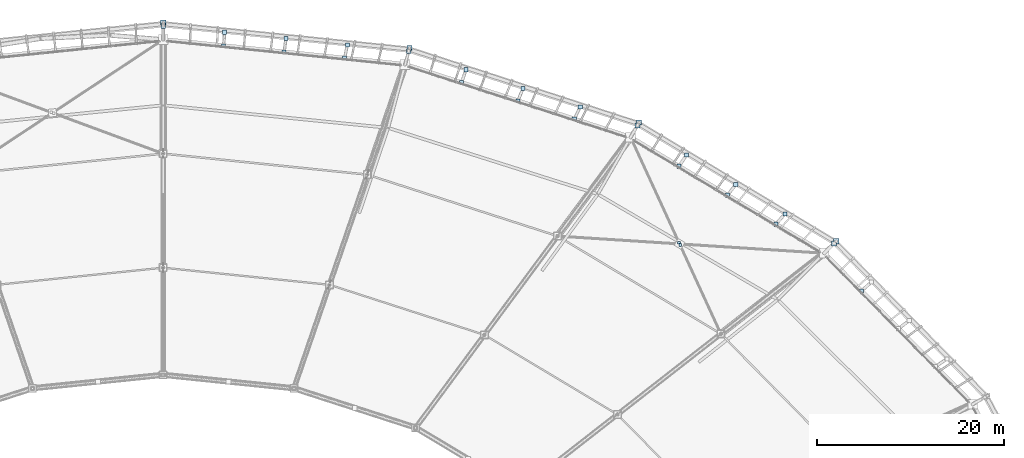
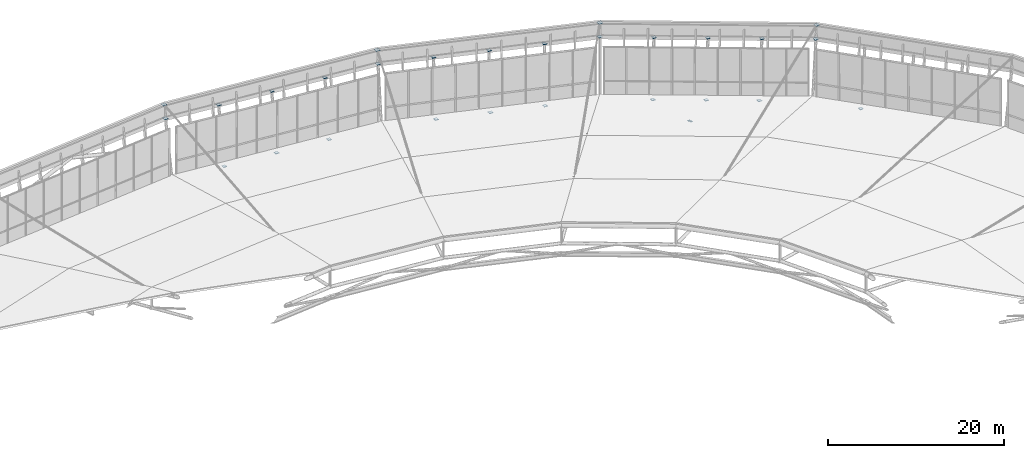
# One storey, part 109 of 115: 29 plates.
"""IFC4 building model written with IfcOpenShell, lengths in metres."""

import ifcopenshell
import ifcopenshell.guid

model = None  # the IFC model being written
_history = None  # IfcOwnerHistory: only IFC2X3 demands one
_inside = {}  # id of a spatial element -> (the spatial element, [elements in it])
_under = {}  # id of a project, library or spatial element -> (it, [spatial elements below it])
_declared = {}  # id of a project -> (the project, [libraries it declares])
_typed = {}  # id of a type object -> (the type object, [elements of that type])
_made_of = {}  # id of a material, layer set ... -> (it, [elements and type objects made of it])


def new_model(schema):
    """Start an empty IFC model of exactly this schema.

    Asked for "IFC4X3", IfcOpenShell would pick the latest addendum, in which some entities
    have other attributes; the version numbers below select the first issue.
    IFC2X3 requires an IfcOwnerHistory on every rooted entity: one is made here for all.
    """
    global model, _history
    if schema == "IFC4X3":
        model = ifcopenshell.file(schema_version=(4, 3, 0, 0))
    else:
        model = ifcopenshell.file(schema=schema)
    _inside.clear()
    _under.clear()
    _declared.clear()
    _typed.clear()
    _made_of.clear()
    _history = None
    if model.schema == "IFC2X3":
        org = make("IfcOrganization", Name="unknown")
        user = make(
            "IfcPersonAndOrganization",
            ThePerson=make("IfcPerson", FamilyName="unknown"),
            TheOrganization=org,
        )
        app = make(
            "IfcApplication",
            ApplicationDeveloper=org,
            Version="unknown",
            ApplicationFullName="unknown",
            ApplicationIdentifier="unknown",
        )
        _history = make(
            "IfcOwnerHistory",
            OwningUser=user,
            OwningApplication=app,
            ChangeAction="ADDED",
            CreationDate=0,
        )
    return model


def make(cls, **values):
    """One entity of the class cls with the attributes given. An attribute that is None is left unset."""
    return model.create_entity(
        cls, **{name: value for name, value in values.items() if value is not None}
    )


def rooted(cls, **values):
    """An entity with a GlobalId (a new one), such as an element, a storey or a relation."""
    return make(cls, GlobalId=ifcopenshell.guid.new(), OwnerHistory=_history, **values)


def si_unit(unit_type, name, prefix=None):
    """IfcSIUnit, for example si_unit("LENGTHUNIT", "METRE", prefix="MILLI")."""
    return make("IfcSIUnit", UnitType=unit_type, Prefix=prefix, Name=name)


def assignment(units):
    """IfcUnitAssignment: the units of a project."""
    return None if units is None else make("IfcUnitAssignment", Units=units)


def point(xyz):
    """IfcCartesianPoint."""
    return None if xyz is None else make("IfcCartesianPoint", Coordinates=xyz)


def direction(xyz):
    """IfcDirection."""
    return None if xyz is None else make("IfcDirection", DirectionRatios=xyz)


def frame(location, z_axis=None, x_axis=None):
    """IfcAxis2Placement3D, a coordinate frame: its origin and axes. An axis left out is left unset."""
    return make(
        "IfcAxis2Placement3D",
        Location=point(location),
        Axis=direction(z_axis),
        RefDirection=direction(x_axis),
    )


def frame_2d(location, x_axis=None):
    """IfcAxis2Placement2D, a coordinate frame in the plane: its origin and x axis."""
    return make(
        "IfcAxis2Placement2D", Location=point(location), RefDirection=direction(x_axis)
    )


def origin():
    """The frame at (0, 0, 0) with its axes left unset."""
    return frame((0.0, 0.0, 0.0))


def origin_2d():
    """The frame at (0, 0) in the plane with its x axis left unset."""
    return frame_2d((0.0, 0.0))


def place(relative_to, where):
    """IfcLocalPlacement: puts the frame where relative to a parent placement (None: the world)."""
    return make(
        "IfcLocalPlacement", PlacementRelTo=relative_to, RelativePlacement=where
    )


def context(
    kind, dimensions, precision=None, world=None, true_north=None, identifier=None
):
    """IfcGeometricRepresentationContext, for example the 3D "Model" context."""
    return make(
        "IfcGeometricRepresentationContext",
        ContextIdentifier=identifier,
        ContextType=kind,
        CoordinateSpaceDimension=dimensions,
        Precision=precision,
        WorldCoordinateSystem=world,
        TrueNorth=true_north,
    )


def subcontext(parent, identifier, kind, view, scale=None):
    """IfcGeometricRepresentationSubContext, for example "Body" below "Model"."""
    return make(
        "IfcGeometricRepresentationSubContext",
        ContextIdentifier=identifier,
        ContextType=kind,
        ParentContext=parent,
        TargetScale=scale,
        TargetView=view,
    )


def project(units=None, contexts=None):
    """IfcProject with its units and contexts."""
    return rooted(
        "IfcProject",
        Name="project",
        RepresentationContexts=contexts,
        UnitsInContext=assignment(units),
    )


def spatial(cls, under=None, at=None, **own):
    """A site, building, storey or space (cls), placed at a placement, below another one or the project."""
    s = rooted(cls, ObjectPlacement=at, **own)
    if under is not None:
        _under.setdefault(under.id(), (under, []))[1].append(s)
    return s


def profile(cls, at=None, kind="AREA", **sizes):
    """A parametric profile (cls). Its sizes go by their IFC names, for example OverallWidth=200.0."""
    return make(cls, ProfileType=kind, Position=at, **sizes)


def rectangle(**sizes):
    """IfcRectangleProfileDef."""
    return profile("IfcRectangleProfileDef", **sizes)


def extrude(swept, where, along, depth):
    """IfcExtrudedAreaSolid: the profile swept, set in the frame where, extruded along a direction by depth."""
    return make(
        "IfcExtrudedAreaSolid",
        SweptArea=swept,
        Position=where,
        ExtrudedDirection=direction(along),
        Depth=depth,
    )


def shape(context_of_items, identifier, shape_type, items):
    """IfcShapeRepresentation: the items that make up one representation, for example the "Body"."""
    return make(
        "IfcShapeRepresentation",
        ContextOfItems=context_of_items,
        RepresentationIdentifier=identifier,
        RepresentationType=shape_type,
        Items=items,
    )


def material(Name=None, Category=None):
    """IfcMaterial."""
    return make("IfcMaterial", Name=Name, Category=Category)


def layer(
    of_material, thickness, ventilated=None, Name=None, Category=None, Priority=None
):
    """IfcMaterialLayer: one layer of a wall or slab, of a material (None: an air gap)."""
    return make(
        "IfcMaterialLayer",
        Material=of_material,
        LayerThickness=thickness,
        IsVentilated=ventilated,
        Name=Name,
        Category=Category,
        Priority=Priority,
    )


def layer_set(layers, Name=None):
    """IfcMaterialLayerSet."""
    return make("IfcMaterialLayerSet", MaterialLayers=layers, LayerSetName=Name)


def made_of(thing, what):
    """Note that an element or type object is made of a material, layer set ...; save() writes the relation."""
    if what is not None:
        _made_of.setdefault(what.id(), (what, []))[1].append(thing)
    return thing


def type_object(cls, material=None, **own):
    """A type object (cls), such as IfcWallType, which elements share."""
    return made_of(rooted(cls, **own), material)


def element(
    cls,
    number,
    at=None,
    inside=None,
    cuts=None,
    type_object=None,
    material=None,
    context=None,
    identifier="Body",
    shape_type=None,
    held_by="IfcProductDefinitionShape",
    body=None,
    shapes=None,
    **own,
):
    """One element of the class cls, such as IfcWall. Its Tag is "e" and its number.

    at: its placement. inside: the storey or other place that contains it. cuts: it is an
    opening in that element (IfcRelVoidsElement). A single representation is given by context,
    identifier, shape_type and body (its items); several are given by shapes. held_by: the class
    of the entity that holds the representations. save() writes the other relations.
    """
    e = rooted(cls, Tag="e%d" % number, ObjectPlacement=at, **own)
    if body is not None:
        shapes = [shape(context, identifier, shape_type, body)]
    if shapes is not None:
        e.Representation = make(held_by, Representations=shapes)
    if inside is not None:
        _inside.setdefault(inside.id(), (inside, []))[1].append(e)
    if cuts is not None:
        rooted(
            "IfcRelVoidsElement", RelatingBuildingElement=cuts, RelatedOpeningElement=e
        )
    if type_object is not None:
        _typed.setdefault(type_object.id(), (type_object, []))[1].append(e)
    return made_of(e, material)


def aggregate(whole, parts):
    """IfcRelAggregates: a whole, such as a stair, and the parts it consists of."""
    return rooted("IfcRelAggregates", RelatingObject=whole, RelatedObjects=parts)


def save(model, path):
    """Write the relations noted so far, then the file.

    IfcRelAggregates (storeys below a building ...), IfcRelContainedInSpatialStructure (elements
    in a storey), IfcRelDefinesByType, IfcRelAssociatesMaterial and IfcRelDeclares: one each for
    every whole, place, type object, material and project.
    """
    for whole, parts in _under.values():
        aggregate(whole, parts)
    for where, things in _inside.values():
        rooted(
            "IfcRelContainedInSpatialStructure",
            RelatedElements=things,
            RelatingStructure=where,
        )
    for kind, things in _typed.values():
        rooted("IfcRelDefinesByType", RelatedObjects=things, RelatingType=kind)
    for what, things in _made_of.values():
        rooted("IfcRelAssociatesMaterial", RelatedObjects=things, RelatingMaterial=what)
    for by, libraries in _declared.values():
        rooted("IfcRelDeclares", RelatingContext=by, RelatedDefinitions=libraries)
    model.write(path)


model = new_model("IFC4")

# Units and contexts
model_context = context("Model", 3, precision=1e-05, world=origin(), true_north=direction((0.0, 1.0)))
body_context = subcontext(model_context, "Body", "Model", "MODEL_VIEW")
ifc_project = project(units=[si_unit("LENGTHUNIT", "METRE"), si_unit("AREAUNIT", "SQUARE_METRE"), si_unit("VOLUMEUNIT", "CUBIC_METRE"), si_unit("PLANEANGLEUNIT", "RADIAN"), si_unit("MASSUNIT", "GRAM", prefix="KILO")], contexts=[model_context])

# Site, building, storey
site_placement = place(None, origin())
site = spatial("IfcSite", under=ifc_project, at=site_placement, CompositionType="ELEMENT")
building_placement = place(site_placement, origin())
building = spatial("IfcBuilding", under=site, at=building_placement, Name="Zlatoyarsky Gate Stadium", CompositionType="ELEMENT")
storey_placement = place(building_placement, frame((0.0, 0.0, 31.800048828125)))
storey = spatial("IfcBuildingStorey", under=building, at=storey_placement, Name="RF", CompositionType="ELEMENT", Elevation=31.800048828125)

# Plates
ifc_material = material(Name="Steel S355", Category="steel")
ifc_layer = layer(ifc_material, 0.02392578125)
ifc_layer_set = layer_set([ifc_layer], Name="Steel S355")
plate_type = type_object("IfcPlateType", Name="STEEL HOLLOW CHORD SPLICE SHEET 24", PredefinedType="SHEET", material=ifc_layer_set)
plate_1_placement = place(storey_placement, frame((185.704345703125, 131.1337890625, -0.4619140625), z_axis=(0.0, 0.0, 1.0), x_axis=(1.0, 0.0, 0.0)))
element("IfcPlate", 1, at=plate_1_placement, inside=storey, type_object=plate_type, Name="Node closure plate ND-SP1 NCAP-RIB-02-3-4T", PredefinedType="SHEET", context=body_context, shape_type="SweptSolid", body=[
    extrude(rectangle(XDim=0.43994140625, YDim=0.43994140625, at=origin_2d()), origin(), (0.0, 0.0, 1.0), 0.02392578125),
])
plate_2_placement = place(storey_placement, frame((183.0146484375, 136.45849609375, 8.837890625), z_axis=(0.0, 0.0, 1.0), x_axis=(1.0, 0.0, 0.0)))
element("IfcPlate", 2, at=plate_2_placement, inside=storey, type_object=plate_type, Name="Node closure plate ND-SP1 NCAP-FSC-03", PredefinedType="SHEET", context=body_context, shape_type="SweptSolid", body=[
    extrude(rectangle(XDim=0.56005859375, YDim=0.56005859375, at=origin_2d()), origin(), (0.0, 0.0, 1.0), 0.02392578125),
])
plate_3_placement = place(storey_placement, frame((182.76806640625, 136.211669921875, 7.137939453125), z_axis=(0.0, 0.0, 1.0), x_axis=(1.0, 0.0, 0.0)))
element("IfcPlate", 3, at=plate_3_placement, inside=storey, type_object=plate_type, Name="Node closure plate ND-SP1 NCAP-FSCB-03", PredefinedType="SHEET", context=body_context, shape_type="SweptSolid", body=[
    extrude(rectangle(XDim=0.52001953125, YDim=0.52001953125, at=origin_2d()), origin(), (0.0, 0.0, 1.0), 0.02392578125),
])
for number, where, z_axis, x_axis, name in (
    (4, (176.551025390625, 138.27392578125, -0.4619140625), (0.0, 0.0, 1.0), (1.0, 0.0, 0.0), "Node closure plate ND-SP1 NCAP-RIB-03-1-4T"),
    (5, (177.512939453125, 139.3701171875, 7.137939453125), (0.0, 0.0, 1.0), (1.0, 0.0, 0.0), "Node closure plate ND-SP1 NCAP-RIB-03-1-5T"),
    (6, (171.3720703125, 141.373779296875, -0.4619140625), (0.0, 0.0, 1.0), (1.0, 0.0, 0.0), "Node closure plate ND-SP1 NCAP-RIB-03-2-4T"),
    (7, (172.2578125, 142.5283203125, 7.137939453125), (0.0, 0.0, 1.0), (1.0, 0.0, 0.0), "Node closure plate ND-SP1 NCAP-RIB-03-2-5T"),
    (8, (166.19287109375, 144.473876953125, -0.4619140625), (0.0, 0.0, 1.0), (1.0, 0.0, 0.0), "Node closure plate ND-SP1 NCAP-RIB-03-3-4T"),
    (9, (167.002685546875, 145.6865234375, 7.137939453125), (0.0, 0.0, 1.0), (1.0, 0.0, 0.0), "Node closure plate ND-SP1 NCAP-RIB-03-3-5T"),
):
    element("IfcPlate", number, at=place(storey_placement, frame(where, z_axis=z_axis, x_axis=x_axis)), inside=storey, type_object=plate_type, Name=name, PredefinedType="SHEET", context=body_context, shape_type="SweptSolid", body=[
        extrude(rectangle(XDim=0.43994140625, YDim=0.43994140625, at=origin_2d()), origin(), (0.0, 0.0, 1.0), 0.02392578125),
    ])
for number, where, z_axis, x_axis, name in (
    (10, (166.194091796875, 136.28955078125, 1.5625), (0.0, 0.0, 1.0), (1.0, 0.0, 0.0), "Node closure plate ND-SP1 NCAP-XBH1-03"),
    (11, (166.306640625, 136.044921875, 1.60205078125), (0.0, 0.0, 1.0), (1.0, 0.0, 0.0), "Node closure plate ND-SP1 NCAP-XBH2-03"),
):
    element("IfcPlate", number, at=place(storey_placement, frame(where, z_axis=z_axis, x_axis=x_axis)), inside=storey, type_object=plate_type, Name=name, PredefinedType="SHEET", context=body_context, shape_type="SweptSolid", body=[
        extrude(rectangle(XDim=0.280029296875, YDim=0.280029296875, at=origin_2d()), origin(), (0.0, 0.0, 1.0), 0.02392578125),
    ])
plate_4_placement = place(storey_placement, frame((161.922119140625, 149.147216796875, 8.837890625), z_axis=(0.0, 0.0, 1.0), x_axis=(1.0, 0.0, 0.0)))
element("IfcPlate", 12, at=plate_4_placement, inside=storey, type_object=plate_type, Name="Node closure plate ND-SP1 NCAP-FSC-04", PredefinedType="SHEET", context=body_context, shape_type="SweptSolid", body=[
    extrude(rectangle(XDim=0.56005859375, YDim=0.56005859375, at=origin_2d()), origin(), (0.0, 0.0, 1.0), 0.02392578125),
])
plate_5_placement = place(storey_placement, frame((161.747802734375, 148.844970703125, 7.137939453125), z_axis=(0.0, 0.0, 1.0), x_axis=(1.0, 0.0, 0.0)))
element("IfcPlate", 13, at=plate_5_placement, inside=storey, type_object=plate_type, Name="Node closure plate ND-SP1 NCAP-FSCB-04", PredefinedType="SHEET", context=body_context, shape_type="SweptSolid", body=[
    extrude(rectangle(XDim=0.52001953125, YDim=0.52001953125, at=origin_2d()), origin(), (0.0, 0.0, 1.0), 0.02392578125),
])
for number, where, z_axis, x_axis, name in (
    (14, (154.982666015625, 149.522705078125, -0.4619140625), (0.0, 0.0, 1.0), (1.0, 0.0, 0.0), "Node closure plate ND-SP1 NCAP-RIB-04-1-4T"),
    (15, (155.6279296875, 150.830322265625, 7.137939453125), (0.0, 0.0, 1.0), (1.0, 0.0, 0.0), "Node closure plate ND-SP1 NCAP-RIB-04-1-5T"),
    (16, (148.951416015625, 151.471435546875, -0.4619140625), (0.0, 0.0, 1.0), (1.0, 0.0, 0.0), "Node closure plate ND-SP1 NCAP-RIB-04-2-4T"),
    (17, (149.50830078125, 152.815673828125, 7.137939453125), (0.0, 0.0, 1.0), (1.0, 0.0, 0.0), "Node closure plate ND-SP1 NCAP-RIB-04-2-5T"),
    (18, (142.920166015625, 153.420166015625, -0.4619140625), (0.0, 0.0, 1.0), (1.0, 0.0, 0.0), "Node closure plate ND-SP1 NCAP-RIB-04-3-4T"),
    (19, (143.388671875, 154.80126953125, 7.137939453125), (0.0, 0.0, 1.0), (1.0, 0.0, 0.0), "Node closure plate ND-SP1 NCAP-RIB-04-3-5T"),
):
    element("IfcPlate", number, at=place(storey_placement, frame(where, z_axis=z_axis, x_axis=x_axis)), inside=storey, type_object=plate_type, Name=name, PredefinedType="SHEET", context=body_context, shape_type="SweptSolid", body=[
        extrude(rectangle(XDim=0.43994140625, YDim=0.43994140625, at=origin_2d()), origin(), (0.0, 0.0, 1.0), 0.02392578125),
    ])
plate_6_placement = place(storey_placement, frame((137.359130859375, 157.12353515625, 8.837890625), z_axis=(0.0, 0.0, 1.0), x_axis=(1.0, 0.0, 0.0)))
element("IfcPlate", 20, at=plate_6_placement, inside=storey, type_object=plate_type, Name="Node closure plate ND-SP1 NCAP-FSC-05", PredefinedType="SHEET", context=body_context, shape_type="SweptSolid", body=[
    extrude(rectangle(XDim=0.56005859375, YDim=0.56005859375, at=origin_2d()), origin(), (0.0, 0.0, 1.0), 0.02392578125),
])
plate_7_placement = place(storey_placement, frame((137.268798828125, 156.78662109375, 7.137939453125), z_axis=(0.0, 0.0, 1.0), x_axis=(1.0, 0.0, 0.0)))
element("IfcPlate", 21, at=plate_7_placement, inside=storey, type_object=plate_type, Name="Node closure plate ND-SP1 NCAP-FSCB-05", PredefinedType="SHEET", context=body_context, shape_type="SweptSolid", body=[
    extrude(rectangle(XDim=0.52001953125, YDim=0.52001953125, at=origin_2d()), origin(), (0.0, 0.0, 1.0), 0.02392578125),
])
for number, where, z_axis, x_axis, name in (
    (22, (130.416748046875, 156.03369140625, -0.4619140625), (0.0, 0.0, 1.0), (1.0, 0.0, 0.0), "Node closure plate ND-SP1 NCAP-RIB-05-1-4T"),
    (23, (130.70166015625, 157.4638671875, 7.137939453125), (0.0, 0.0, 1.0), (1.0, 0.0, 0.0), "Node closure plate ND-SP1 NCAP-RIB-05-1-5T"),
    (24, (123.944580078125, 156.6982421875, -0.4619140625), (0.0, 0.0, 1.0), (1.0, 0.0, 0.0), "Node closure plate ND-SP1 NCAP-RIB-05-2-4T"),
    (25, (124.134521484375, 158.140869140625, 7.137939453125), (0.0, 0.0, 1.0), (1.0, 0.0, 0.0), "Node closure plate ND-SP1 NCAP-RIB-05-2-5T"),
    (26, (117.472412109375, 157.36279296875, -0.4619140625), (0.0, 0.0, 1.0), (1.0, 0.0, 0.0), "Node closure plate ND-SP1 NCAP-RIB-05-3-4T"),
    (27, (117.567138671875, 158.818115234375, 7.137939453125), (0.0, 0.0, 1.0), (1.0, 0.0, 0.0), "Node closure plate ND-SP1 NCAP-RIB-05-3-5T"),
):
    element("IfcPlate", number, at=place(storey_placement, frame(where, z_axis=z_axis, x_axis=x_axis)), inside=storey, type_object=plate_type, Name=name, PredefinedType="SHEET", context=body_context, shape_type="SweptSolid", body=[
        extrude(rectangle(XDim=0.43994140625, YDim=0.43994140625, at=origin_2d()), origin(), (0.0, 0.0, 1.0), 0.02392578125),
    ])
plate_8_placement = place(storey_placement, frame((111.0, 159.84423828125, 8.837890625), z_axis=(0.0, 0.0, 1.0), x_axis=(1.0, 0.0, 0.0)))
element("IfcPlate", 28, at=plate_8_placement, inside=storey, type_object=plate_type, Name="Node closure plate ND-SP1 NCAP-FSC-06", PredefinedType="SHEET", context=body_context, shape_type="SweptSolid", body=[
    extrude(rectangle(XDim=0.56005859375, YDim=0.56005859375, at=origin_2d()), origin(), (0.0, 0.0, 1.0), 0.02392578125),
])
plate_9_placement = place(storey_placement, frame((111.0, 159.495361328125, 7.137939453125), z_axis=(0.0, 0.0, 1.0), x_axis=(1.0, 0.0, 0.0)))
element("IfcPlate", 29, at=plate_9_placement, inside=storey, type_object=plate_type, Name="Node closure plate ND-SP1 NCAP-FSCB-06", PredefinedType="SHEET", context=body_context, shape_type="SweptSolid", body=[
    extrude(rectangle(XDim=0.52001953125, YDim=0.52001953125, at=origin_2d()), origin(), (0.0, 0.0, 1.0), 0.02392578125),
])

save(model, "model.ifc")
